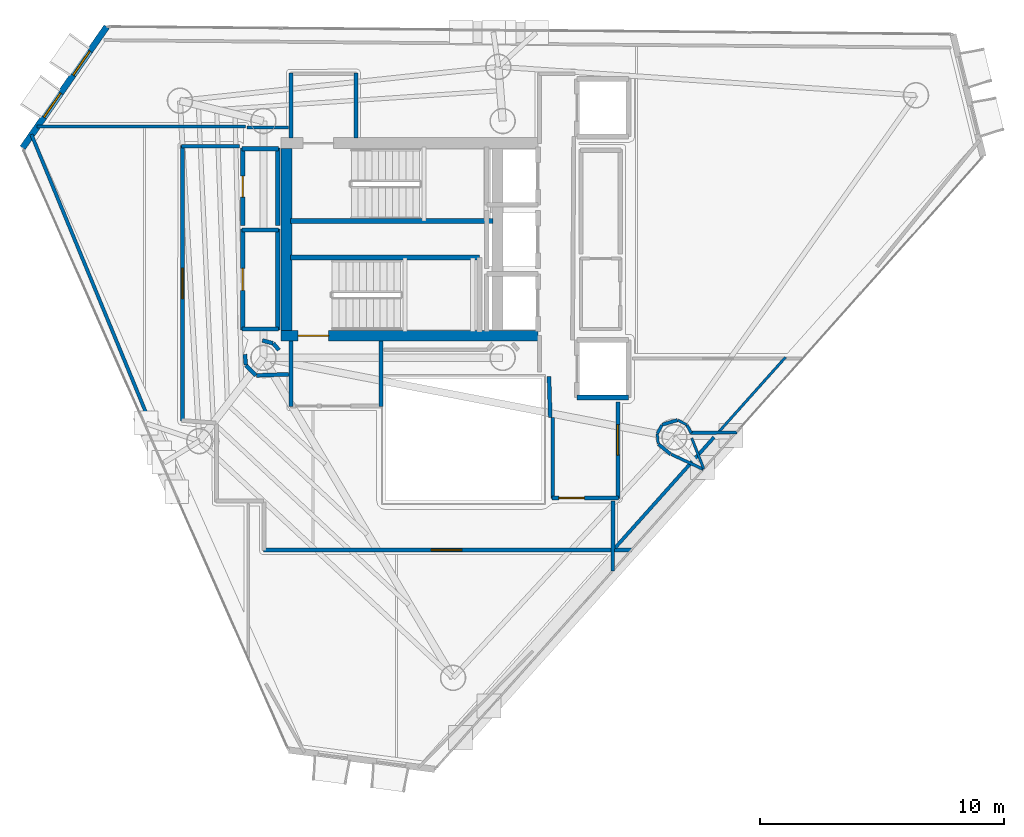
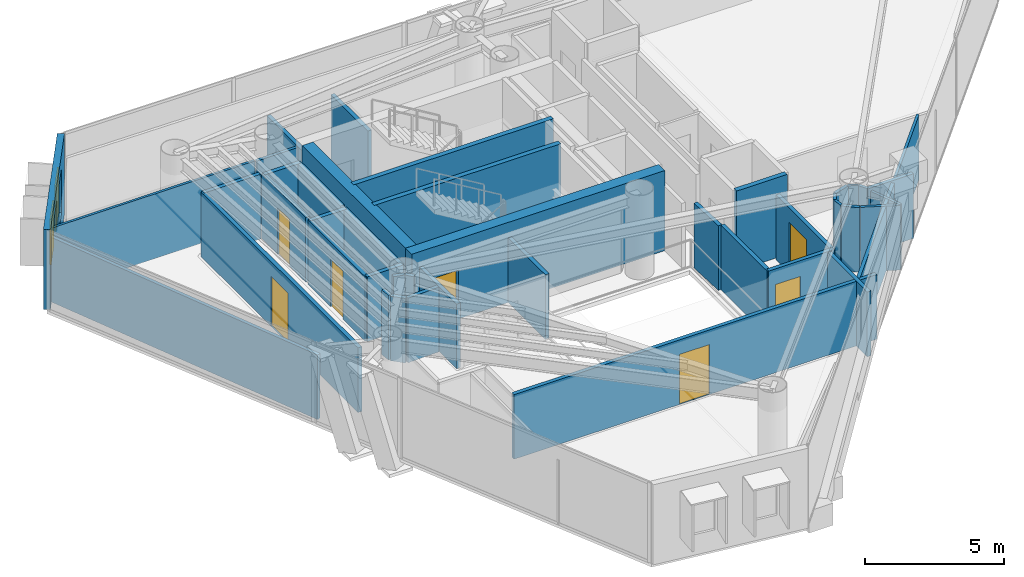
# One storey, part 16 of 21: 44 walls, 7 doors, 2 windows, 9 openings.
"""IFC4 building model written with IfcOpenShell, lengths in metres."""

from ifc_helpers import new_model, si_unit, direction, frame, frame_2d, origin, place, context, subcontext, project, spatial, rectangle, extrude, material, layer, layer_set, type_object, element, fill, save


model = new_model("IFC4")

# Units and contexts
model_context = context("Model", 3, precision=1e-05, world=origin(), true_north=direction((0.0, 1.0)))
body_context = subcontext(model_context, "Body", "Model", "MODEL_VIEW")
ifc_project = project(units=[si_unit("LENGTHUNIT", "METRE"), si_unit("AREAUNIT", "SQUARE_METRE"), si_unit("VOLUMEUNIT", "CUBIC_METRE"), si_unit("PLANEANGLEUNIT", "RADIAN"), si_unit("MASSUNIT", "GRAM", prefix="KILO")], contexts=[model_context])

# Site, building, storey
site_placement = place(None, origin())
site = spatial("IfcSite", under=ifc_project, at=site_placement, CompositionType="ELEMENT")
building_placement = place(site_placement, origin())
building = spatial("IfcBuilding", under=site, at=building_placement, Name="Qianvela Tower", CompositionType="ELEMENT")
storey_placement = place(building_placement, frame((0.0, 0.0, 250.10009765625)))
storey = spatial("IfcBuildingStorey", under=building, at=storey_placement, Name="L64", CompositionType="ELEMENT", Elevation=250.10009765625)

# Wall, openings, windows
ifc_material_1 = material(Name="Terracotta Cladding on Concrete C40", Category="masonry")
ifc_layer_1 = layer(ifc_material_1, 0.260009765625)
ifc_layer_set_1 = layer_set([ifc_layer_1], Name="Terracotta Cladding on Concrete C40")
wall_type_1 = type_object("IfcWallType", Name="TERRACOTTA-WALL-260", PredefinedType="SOLIDWALL", material=ifc_layer_set_1)
wall_1_placement = place(storey_placement, frame((22.181396484375, 37.41455078125, 0.0), z_axis=(0.0, 0.0, 1.0), x_axis=(-0.570304180322, -0.821433589469, 0.0)))
wall_1 = element("IfcWall", 1, at=wall_1_placement, inside=storey, type_object=wall_type_1, Name="L64 Terracotta Chamfer Facet Wall 3", PredefinedType="SOLIDWALL", context=body_context, shape_type="SweptSolid", body=[
    extrude(rectangle(XDim=6.0419921875, YDim=0.260009765625, at=frame_2d((3.02099609375, 0.0))), origin(), (0.0, 0.0, 1.0), 3.52001953125),
])
opening_1_placement = place(wall_1_placement, frame((1.212646484375, 0.0, 0.89990234375)))
opening_1 = element("IfcOpeningElement", 2, at=opening_1_placement, cuts=wall_1, Name="Opening W-03", PredefinedType="OPENING", context=body_context, shape_type="SweptSolid", body=[
    extrude(rectangle(XDim=1.199951171875, YDim=2.0, at=frame_2d((0.60009765625, 1.0))), frame((0.0, 0.139892578125, 0.0), z_axis=(0.0, -1.0, 0.0), x_axis=(1.0, 0.0, 0.0)), (0.0, 0.0, 1.0), 0.280029296875),
])
opening_2_placement = place(wall_1_placement, frame((3.3095703125, 0.0, 0.89990234375)))
opening_2 = element("IfcOpeningElement", 3, at=opening_2_placement, cuts=wall_1, Name="Opening W-03", PredefinedType="OPENING", context=body_context, shape_type="SweptSolid", body=[
    extrude(rectangle(XDim=1.199951171875, YDim=2.0, at=frame_2d((0.60009765625, 1.0))), frame((0.0, 0.139892578125, 0.0), z_axis=(0.0, -1.0, 0.0), x_axis=(1.0, 0.0, 0.0)), (0.0, 0.0, 1.0), 0.280029296875),
])
ifc_material_2 = material(Name="Thermally Broken Aluminium and Low-E Glass", Category="aluminium")
window_type = type_object("IfcWindowType", Name="WIN-TC-1200x2000", PartitioningType="SINGLE_PANEL", PredefinedType="WINDOW", material=ifc_material_2)
window_1_placement = place(opening_1_placement, origin())
window_1 = element("IfcWindow", 4, at=window_1_placement, inside=storey, type_object=window_type, Name="L64 Chamfer Facet Window 3.1", OverallHeight=2.0, OverallWidth=1.199951171875, PartitioningType="SINGLE_PANEL", PredefinedType="WINDOW", context=body_context, shape_type="SweptSolid", body=[
    extrude(rectangle(XDim=1.199951171875, YDim=2.0, at=frame_2d((0.60009765625, 1.0))), frame((0.0, 0.030029296875, 0.0), z_axis=(0.0, -1.0, 0.0), x_axis=(1.0, 0.0, 0.0)), (0.0, 0.0, 1.0), 0.06005859375),
])
fill(opening_1, window_1)
window_2_placement = place(opening_2_placement, origin())
window_2 = element("IfcWindow", 5, at=window_2_placement, inside=storey, type_object=window_type, Name="L64 Chamfer Facet Window 3.2", OverallHeight=2.0, OverallWidth=1.199951171875, PartitioningType="SINGLE_PANEL", PredefinedType="WINDOW", context=body_context, shape_type="SweptSolid", body=[
    extrude(rectangle(XDim=1.199951171875, YDim=2.0, at=frame_2d((0.60009765625, 1.0))), frame((0.0, 0.030029296875, 0.0), z_axis=(0.0, -1.0, 0.0), x_axis=(1.0, 0.0, 0.0)), (0.0, 0.0, 1.0), 0.06005859375),
])
fill(opening_2, window_2)

# Wall, opening, door
ifc_material_3 = material(Name="Concrete C50", Category="concrete")
ifc_layer_2 = layer(ifc_material_3, 0.449951171875)
ifc_layer_set_2 = layer_set([ifc_layer_2], Name="Concrete C50")
wall_type_2 = type_object("IfcWallType", Name="WT-CORE-450", PredefinedType="SHEAR", material=ifc_layer_set_2)
wall_2_placement = place(storey_placement, frame((29.330078125, 24.7548828125, 0.0), z_axis=(0.0, 0.0, 1.0), x_axis=(1.0, 0.0, 0.0)))
wall_2 = element("IfcWall", 6, at=wall_2_placement, inside=storey, type_object=wall_type_2, Name="L64 South Core Shear Wall", PredefinedType="SHEAR", context=body_context, shape_type="SweptSolid", body=[
    extrude(rectangle(XDim=10.52001953125, YDim=0.449951171875, at=frame_2d((5.260009765625, 0.0))), origin(), (0.0, 0.0, 1.0), 3.52001953125),
])
opening_3_placement = place(wall_2_placement, frame((0.695068359375, 0.0, 0.0)))
opening_3 = element("IfcOpeningElement", 7, at=opening_3_placement, cuts=wall_2, Name="Opening D-ST1", PredefinedType="OPENING", context=body_context, shape_type="SweptSolid", body=[
    extrude(rectangle(XDim=1.25, YDim=2.14990234375, at=frame_2d((0.625, 1.074951171875))), frame((0.0, 0.23486328125, 0.0), z_axis=(0.0, -1.0, 0.0), x_axis=(1.0, 0.0, 0.0)), (0.0, 0.0, 1.0), 0.469970703125),
])
ifc_material_4 = material(Name="Galvanised Fire Steel Q355B", Category="steel")
door_type_1 = type_object("IfcDoorType", Name="DT-STAIR-FD90", OperationType="NOTDEFINED", PredefinedType="DOOR", material=ifc_material_4)
door_1_placement = place(opening_3_placement, origin())
door_1 = element("IfcDoor", 8, at=door_1_placement, inside=storey, type_object=door_type_1, Name="L64 Stair ST-2 Exit Door", OperationType="SINGLE_SWING_RIGHT", OverallHeight=2.14990234375, OverallWidth=1.25, PredefinedType="DOOR", context=body_context, shape_type="SweptSolid", body=[
    extrude(rectangle(XDim=1.25, YDim=2.14990234375, at=frame_2d((0.625, 1.074951171875))), frame((0.0, 0.02490234375, 0.0), z_axis=(0.0, -1.0, 0.0), x_axis=(1.0, 0.0, 0.0)), (0.0, 0.0, 1.0), 0.050048828125),
])
fill(opening_3, door_1)

# Walls
wall_3_placement = place(storey_placement, frame((29.554931640625, 24.97998046875, 0.0), z_axis=(0.0, 0.0, 1.0), x_axis=(0.0, 1.0, 0.0)))
element("IfcWall", 9, at=wall_3_placement, inside=storey, type_object=wall_type_2, Name="L64 West Core Shear Wall", PredefinedType="SHEAR", context=body_context, shape_type="SweptSolid", body=[
    extrude(rectangle(XDim=7.43994140625, YDim=0.449951171875, at=frame_2d((3.719970703125, 0.0))), origin(), (0.0, 0.0, 1.0), 3.52001953125),
])
ifc_material_5 = material(Name="Fire-Rated Gypsum and Concrete Block", Category="concrete")
ifc_layer_3 = layer(ifc_material_5, 0.159912109375)
ifc_layer_set_3 = layer_set([ifc_layer_3], Name="Fire-Rated Gypsum and Concrete Block")
wall_type_3 = type_object("IfcWallType", Name="WT-CORR-160", PredefinedType="PARTITIONING", material=ifc_layer_set_3)
for number, where, z_axis, x_axis, name in (
    (10, (29.73095703125, 32.85791015625, 0.0), (0.0, 0.0, 1.0), (0.0, 1.0, 0.0), "L64 Partition 2"),
    (11, (32.388916015625, 35.52001953125, 0.0), (0.0, 0.0, 1.0), (0.0, -1.0, 0.0), "L64 Partition 4"),
):
    element("IfcWall", number, at=place(storey_placement, frame(where, z_axis=z_axis, x_axis=x_axis)), inside=storey, type_object=wall_type_3, Name=name, PredefinedType="PARTITIONING", context=body_context, shape_type="SweptSolid", body=[
        extrude(rectangle(XDim=2.662109375, YDim=0.159912109375, at=frame_2d((1.3310546875, 0.0))), origin(), (0.0, 0.0, 1.0), 2.83984375),
    ])
for number, where, z_axis, x_axis, name in (
    (12, (29.73095703125, 21.85009765625, 0.0), (0.0, 0.0, 1.0), (0.0, 1.0, 0.0), "L64 Partition 6"),
    (13, (33.4189453125, 24.5419921875, 0.0), (0.0, 0.0, 1.0), (0.0, -1.0, 0.0), "L64 Partition 8"),
):
    element("IfcWall", number, at=place(storey_placement, frame(where, z_axis=z_axis, x_axis=x_axis)), inside=storey, type_object=wall_type_3, Name=name, PredefinedType="PARTITIONING", context=body_context, shape_type="SweptSolid", body=[
        extrude(rectangle(XDim=2.69189453125, YDim=0.159912109375, at=frame_2d((1.345947265625, 0.0))), origin(), (0.0, 0.0, 1.0), 2.83984375),
    ])
wall_4_placement = place(storey_placement, frame((40.35107421875, 21.40087890625, 0.0), z_axis=(0.0, 0.0, 1.0), x_axis=(-0.031058045979, 0.999517582527, 0.0)))
element("IfcWall", 14, at=wall_4_placement, inside=storey, type_object=wall_type_3, Name="L64 Partition 9", PredefinedType="PARTITIONING", context=body_context, shape_type="SweptSolid", body=[
    extrude(rectangle(XDim=1.68212890625, YDim=0.159912109375, at=frame_2d((0.841064453125, 0.0))), origin(), (0.0, 0.0, 1.0), 2.83984375),
])

# Wall, opening, door
wall_5_placement = place(storey_placement, frame((43.118896484375, 22.050048828125, 0.0), z_axis=(0.0, 0.0, 1.0), x_axis=(0.0, -1.0, 0.0)))
wall_5 = element("IfcWall", 15, at=wall_5_placement, inside=storey, type_object=wall_type_3, Name="L64 Partition 16", PredefinedType="PARTITIONING", context=body_context, shape_type="SweptSolid", body=[
    extrude(rectangle(XDim=3.969970703125, YDim=0.159912109375, at=frame_2d((1.98486328125, 0.0))), origin(), (0.0, 0.0, 1.0), 2.83984375),
])
opening_4_placement = place(wall_5_placement, frame((0.93994140625, 0.0, 0.0)))
opening_4 = element("IfcOpeningElement", 16, at=opening_4_placement, cuts=wall_5, Name="Opening D-LG1", PredefinedType="OPENING", context=body_context, shape_type="SweptSolid", body=[
    extrude(rectangle(XDim=1.25, YDim=2.199951171875, at=frame_2d((0.625, 1.10009765625))), frame((0.0, 0.08984375, 0.0), z_axis=(0.0, -1.0, 0.0), x_axis=(1.0, 0.0, 0.0)), (0.0, 0.0, 1.0), 0.179931640625),
])
ifc_material_6 = material(Name="Anodised Aluminium Acoustic Glass Door", Category="aluminium")
door_type_2 = type_object("IfcDoorType", Name="DT-LOUNGE-1250", OperationType="NOTDEFINED", PredefinedType="DOOR", material=ifc_material_6)
door_2_placement = place(opening_4_placement, origin())
door_2 = element("IfcDoor", 17, at=door_2_placement, inside=storey, type_object=door_type_2, Name="L64 Door Debate Lecture Classroom L64-02 to L64 Lift Lobby", OperationType="SINGLE_SWING_LEFT", OverallHeight=2.199951171875, OverallWidth=1.25, PredefinedType="DOOR", context=body_context, shape_type="SweptSolid", body=[
    extrude(rectangle(XDim=1.25, YDim=2.199951171875, at=frame_2d((0.625, 1.10009765625))), frame((0.0, 0.02490234375, 0.0), z_axis=(0.0, -1.0, 0.0), x_axis=(1.0, 0.0, 0.0)), (0.0, 0.0, 1.0), 0.050048828125),
])
fill(opening_4, door_2)

wall_6_placement = place(storey_placement, frame((43.14990234375, 18.111083984375, 0.0), z_axis=(0.0, 0.0, 1.0), x_axis=(-1.0, 0.0, 0.0)))
wall_6 = element("IfcWall", 18, at=wall_6_placement, inside=storey, type_object=wall_type_3, Name="L64 Partition 17", PredefinedType="PARTITIONING", context=body_context, shape_type="SweptSolid", body=[
    extrude(rectangle(XDim=2.72998046875, YDim=0.159912109375, at=frame_2d((1.364990234375, 0.0))), origin(), (0.0, 0.0, 1.0), 2.83984375),
])
opening_5_placement = place(wall_6_placement, frame((1.39990234375, 0.0, 0.0)))
opening_5 = element("IfcOpeningElement", 19, at=opening_5_placement, cuts=wall_6, Name="Opening D-PL1", PredefinedType="OPENING", context=body_context, shape_type="SweptSolid", body=[
    extrude(rectangle(XDim=1.050048828125, YDim=2.14990234375, at=frame_2d((0.52490234375, 1.074951171875))), frame((0.0, 0.08984375, 0.0), z_axis=(0.0, -1.0, 0.0), x_axis=(1.0, 0.0, 0.0)), (0.0, 0.0, 1.0), 0.179931640625),
])
ifc_material_7 = material(Name="Insulated Steel Fire Door Q355B", Category="steel")
door_type_3 = type_object("IfcDoorType", Name="DT-PLANT-FD90", OperationType="NOTDEFINED", PredefinedType="DOOR", material=ifc_material_7)
door_3_placement = place(opening_5_placement, origin())
door_3 = element("IfcDoor", 20, at=door_3_placement, inside=storey, type_object=door_type_3, Name="L64 Door L64 Lift Lobby to L64 Floor Corridor", OperationType="SINGLE_SWING_RIGHT", OverallHeight=2.14990234375, OverallWidth=1.050048828125, PredefinedType="DOOR", context=body_context, shape_type="SweptSolid", body=[
    extrude(rectangle(XDim=1.050048828125, YDim=2.14990234375, at=frame_2d((0.52490234375, 1.074951171875))), frame((0.0, 0.02490234375, 0.0), z_axis=(0.0, -1.0, 0.0), x_axis=(1.0, 0.0, 0.0)), (0.0, 0.0, 1.0), 0.050048828125),
])
fill(opening_5, door_3)

# Walls
wall_7_placement = place(storey_placement, frame((40.450927734375, 18.080078125, 0.0), z_axis=(0.0, 0.0, 1.0), x_axis=(0.0, 1.0, 0.0)))
element("IfcWall", 21, at=wall_7_placement, inside=storey, type_object=wall_type_3, Name="L64 Partition 18 seg 1", PredefinedType="PARTITIONING", context=body_context, shape_type="SweptSolid", body=[
    extrude(rectangle(XDim=3.31982421875, YDim=0.159912109375, at=frame_2d((1.659912109375, 0.0))), origin(), (0.0, 0.0, 1.0), 2.83984375),
])
wall_8_placement = place(storey_placement, frame((29.236083984375, 24.170166015625, 0.0), z_axis=(0.0, 0.0, 1.0), x_axis=(-0.652260263346, 0.757995084984, 0.0)))
element("IfcWall", 22, at=wall_8_placement, inside=storey, type_object=wall_type_3, Name="L64 Partition 39", PredefinedType="PARTITIONING", context=body_context, shape_type="SweptSolid", body=[
    extrude(rectangle(XDim=0.35546875, YDim=0.159912109375, at=frame_2d((0.177734375, 0.0))), origin(), (0.0, 0.0, 1.0), 2.83984375),
])
wall_9_placement = place(storey_placement, frame((28.98828125, 24.44970703125, 0.0), z_axis=(0.0, 0.0, 1.0), x_axis=(-0.968704505916, 0.248216800836, 0.0)))
element("IfcWall", 23, at=wall_9_placement, inside=storey, type_object=wall_type_3, Name="L64 Partition 40", PredefinedType="PARTITIONING", context=body_context, shape_type="SweptSolid", body=[
    extrude(rectangle(XDim=0.444580078125, YDim=0.159912109375, at=frame_2d((0.22216796875, 0.0))), origin(), (0.0, 0.0, 1.0), 2.83984375),
])
wall_10_placement = place(storey_placement, frame((27.83837890625, 23.9921875, 0.0), z_axis=(0.0, 0.0, 1.0), x_axis=(0.098273407977, -0.995159453196, 0.0)))
element("IfcWall", 24, at=wall_10_placement, inside=storey, type_object=wall_type_3, Name="L64 Partition 54", PredefinedType="PARTITIONING", context=body_context, shape_type="SweptSolid", body=[
    extrude(rectangle(XDim=0.432373046875, YDim=0.159912109375, at=frame_2d((0.21630859375, 0.0))), origin(), (0.0, 0.0, 1.0), 2.83984375),
])
wall_11_placement = place(storey_placement, frame((27.889892578125, 23.54296875, 0.0), z_axis=(0.0, 0.0, 1.0), x_axis=(0.707106781187, -0.707106781187, 0.0)))
element("IfcWall", 25, at=wall_11_placement, inside=storey, type_object=wall_type_3, Name="L64 Partition 55", PredefinedType="PARTITIONING", context=body_context, shape_type="SweptSolid", body=[
    extrude(rectangle(XDim=0.570068359375, YDim=0.159912109375, at=frame_2d((0.28515625, 0.0))), origin(), (0.0, 0.0, 1.0), 2.83984375),
])
wall_12_placement = place(storey_placement, frame((28.31591796875, 23.130615234375, 0.0), z_axis=(0.0, 0.0, 1.0), x_axis=(0.999405342193, 0.034481328227, 0.0)))
element("IfcWall", 26, at=wall_12_placement, inside=storey, type_object=wall_type_3, Name="L64 Partition 56", PredefinedType="PARTITIONING", context=body_context, shape_type="SweptSolid", body=[
    extrude(rectangle(XDim=1.323974609375, YDim=0.159912109375, at=frame_2d((0.662109375, 0.0))), origin(), (0.0, 0.0, 1.0), 2.83984375),
])
wall_13_placement = place(storey_placement, frame((42.9189453125, 17.97998046875, 0.0), z_axis=(0.0, 0.0, 1.0), x_axis=(-0.003320260942, -0.999994487918, 0.0)))
element("IfcWall", 27, at=wall_13_placement, inside=storey, type_object=wall_type_3, Name="L64 Partition 60", PredefinedType="PARTITIONING", context=body_context, shape_type="SweptSolid", body=[
    extrude(rectangle(XDim=2.86767578125, YDim=0.159912109375, at=frame_2d((1.433837890625, 0.0))), origin(), (0.0, 0.0, 1.0), 2.83984375),
])

# Wall, opening, door
wall_14_placement = place(storey_placement, frame((43.688720703125, 15.98095703125, 0.0), z_axis=(0.0, 0.0, 1.0), x_axis=(-1.0, 0.0, 0.0)))
wall_14 = element("IfcWall", 28, at=wall_14_placement, inside=storey, type_object=wall_type_3, Name="L64 Partition 61", PredefinedType="PARTITIONING", context=body_context, shape_type="SweptSolid", body=[
    extrude(rectangle(XDim=15.088623046875, YDim=0.159912109375, at=frame_2d((7.54443359375, 0.0))), origin(), (0.0, 0.0, 1.0), 2.83984375),
])
opening_6_placement = place(wall_14_placement, frame((6.957275390625, 0.0, 0.0)))
opening_6 = element("IfcOpeningElement", 29, at=opening_6_placement, cuts=wall_14, Name="Opening D-LG1", PredefinedType="OPENING", context=body_context, shape_type="SweptSolid", body=[
    extrude(rectangle(XDim=1.25, YDim=2.199951171875, at=frame_2d((0.625, 1.10009765625))), frame((0.0, 0.08984375, 0.0), z_axis=(0.0, -1.0, 0.0), x_axis=(1.0, 0.0, 0.0)), (0.0, 0.0, 1.0), 0.179931640625),
])
door_4_placement = place(opening_6_placement, origin())
door_4 = element("IfcDoor", 30, at=door_4_placement, inside=storey, type_object=door_type_2, Name="L64 Door Project Huddle Conference L64-01 to L64 Floor Corridor", OperationType="SINGLE_SWING_RIGHT", OverallHeight=2.199951171875, OverallWidth=1.25, PredefinedType="DOOR", context=body_context, shape_type="SweptSolid", body=[
    extrude(rectangle(XDim=1.25, YDim=2.199951171875, at=frame_2d((0.625, 1.10009765625))), frame((0.0, 0.02490234375, 0.0), z_axis=(0.0, -1.0, 0.0), x_axis=(1.0, 0.0, 0.0)), (0.0, 0.0, 1.0), 0.050048828125),
])
fill(opening_6, door_4)

wall_15_placement = place(storey_placement, frame((25.281005859375, 21.253173828125, 0.0), z_axis=(0.0, 0.0, 1.0), x_axis=(0.0, 1.0, 0.0)))
wall_15 = element("IfcWall", 31, at=wall_15_placement, inside=storey, type_object=wall_type_3, Name="L64 Partition 66", PredefinedType="PARTITIONING", context=body_context, shape_type="SweptSolid", body=[
    extrude(rectangle(XDim=11.296875, YDim=0.159912109375, at=frame_2d((5.6484375, 0.0))), origin(), (0.0, 0.0, 1.0), 2.83984375),
])
opening_7_placement = place(wall_15_placement, frame((5.0234375, 0.0, 0.0)))
opening_7 = element("IfcOpeningElement", 32, at=opening_7_placement, cuts=wall_15, Name="Opening D-LG1", PredefinedType="OPENING", context=body_context, shape_type="SweptSolid", body=[
    extrude(rectangle(XDim=1.25, YDim=2.199951171875, at=frame_2d((0.625, 1.10009765625))), frame((0.0, 0.08984375, 0.0), z_axis=(0.0, -1.0, 0.0), x_axis=(1.0, 0.0, 0.0)), (0.0, 0.0, 1.0), 0.179931640625),
])
door_5_placement = place(opening_7_placement, origin())
door_5 = element("IfcDoor", 33, at=door_5_placement, inside=storey, type_object=door_type_2, Name="L64 Door Student Fitness Gym L64-03 to L64 Floor Corridor", OperationType="SINGLE_SWING_RIGHT", OverallHeight=2.199951171875, OverallWidth=1.25, PredefinedType="DOOR", context=body_context, shape_type="SweptSolid", body=[
    extrude(rectangle(XDim=1.25, YDim=2.199951171875, at=frame_2d((0.625, 1.10009765625))), frame((0.0, 0.02490234375, 0.0), z_axis=(0.0, -1.0, 0.0), x_axis=(1.0, 0.0, 0.0)), (0.0, 0.0, 1.0), 0.050048828125),
])
fill(opening_7, door_5)

# Walls
wall_16_placement = place(storey_placement, frame((25.25, 32.51904296875, 0.0), z_axis=(0.0, 0.0, 1.0), x_axis=(1.0, 0.0, 0.0)))
element("IfcWall", 34, at=wall_16_placement, inside=storey, type_object=wall_type_3, Name="L64 Partition 67", PredefinedType="PARTITIONING", context=body_context, shape_type="SweptSolid", body=[
    extrude(rectangle(XDim=2.3701171875, YDim=0.159912109375, at=frame_2d((1.18505859375, 0.0))), origin(), (0.0, 0.0, 1.0), 2.83984375),
])
ifc_material_8 = material(Name="Lightweight Gypsum Room Partition")
ifc_layer_4 = layer(ifc_material_8, 0.10498046875)
ifc_layer_set_4 = layer_set([ifc_layer_4], Name="Lightweight Gypsum Room Partition")
wall_type_4 = type_object("IfcWallType", Name="WT-PART-105", PredefinedType="PARTITIONING", material=ifc_layer_set_4)
wall_17_placement = place(storey_placement, frame((49.992431640625, 23.878662109375, 0.0), z_axis=(0.0, 0.0, 1.0), x_axis=(-0.666631757863, -0.745387214412, 0.0)))
element("IfcWall", 35, at=wall_17_placement, inside=storey, type_object=wall_type_4, Name="L64 Partition 78", PredefinedType="PARTITIONING", context=body_context, shape_type="SweptSolid", body=[
    extrude(rectangle(XDim=4.156982421875, YDim=0.10498046875, at=frame_2d((2.07861328125, 0.0))), origin(), (0.0, 0.0, 1.0), 2.83984375),
])
for number, where, z_axis, x_axis, name in (
    (36, (45.93505859375, 21.109619140625, 0.0), (0.0, 0.0, 1.0), (-0.881944865518, 0.471352579484, 0.0), "L64 Partition 81"),
    (37, (44.7333984375, 20.728515625, 0.0), (0.0, 0.0, 1.0), (0.097619118958, -0.995223847993, 0.0), "L64 Partition 84"),
):
    element("IfcWall", number, at=place(storey_placement, frame(where, z_axis=z_axis, x_axis=x_axis)), inside=storey, type_object=wall_type_4, Name=name, PredefinedType="PARTITIONING", context=body_context, shape_type="SweptSolid", body=[
        extrude(rectangle(XDim=0.397705078125, YDim=0.10498046875, at=frame_2d((0.19873046875, 0.0))), origin(), (0.0, 0.0, 1.0), 2.83984375),
    ])
wall_18_placement = place(storey_placement, frame((46.638916015625, 19.30224609375, 0.0), z_axis=(0.0, 0.0, 1.0), x_axis=(-0.364501452611, 0.9312028195, 0.0)))
element("IfcWall", 38, at=wall_18_placement, inside=storey, type_object=wall_type_4, Name="L64 Partition 87", PredefinedType="PARTITIONING", context=body_context, shape_type="SweptSolid", body=[
    extrude(rectangle(XDim=1.352294921875, YDim=0.10498046875, at=frame_2d((0.67626953125, 0.0))), origin(), (0.0, 0.0, 1.0), 2.83984375),
])
wall_19_placement = place(storey_placement, frame((19.323486328125, 33.326904296875, 0.0), z_axis=(0.0, 0.0, 1.0), x_axis=(1.0, 0.0, 0.0)))
element("IfcWall", 39, at=wall_19_placement, inside=storey, type_object=wall_type_4, Name="L64 Partition 90", PredefinedType="PARTITIONING", context=body_context, shape_type="SweptSolid", body=[
    extrude(rectangle(XDim=8.534423828125, YDim=0.10498046875, at=frame_2d((4.26708984375, 0.0))), origin(), (0.0, 0.0, 1.0), 2.83984375),
])
ifc_material_9 = material(Name="Insulated Gypsum Stud Partition")
ifc_layer_5 = layer(ifc_material_9, 0.1201171875)
ifc_layer_set_5 = layer_set([ifc_layer_5], Name="Insulated Gypsum Stud Partition")
wall_type_5 = type_object("IfcWallType", Name="WT-PART-120", PredefinedType="PARTITIONING", material=ifc_layer_set_5)
wall_20_placement = place(storey_placement, frame((46.12744140625, 20.771484375, 0.0), z_axis=(0.0, 0.0, 1.0), x_axis=(-0.483302691899, 0.875453315719, 0.0)))
element("IfcWall", 40, at=wall_20_placement, inside=storey, type_object=wall_type_5, Name="L64 Partition 80", PredefinedType="PARTITIONING", context=body_context, shape_type="SweptSolid", body=[
    extrude(rectangle(XDim=0.372314453125, YDim=0.1201171875, at=frame_2d((0.18603515625, 0.0))), origin(), (0.0, 0.0, 1.0), 2.83984375),
])
wall_21_placement = place(storey_placement, frame((44.92431640625, 21.096923828125, 0.0), z_axis=(0.0, 0.0, 1.0), x_axis=(-0.471607834051, -0.881808398044, 0.0)))
element("IfcWall", 41, at=wall_21_placement, inside=storey, type_object=wall_type_5, Name="L64 Partition 83", PredefinedType="PARTITIONING", context=body_context, shape_type="SweptSolid", body=[
    extrude(rectangle(XDim=0.3974609375, YDim=0.1201171875, at=frame_2d((0.19873046875, 0.0))), origin(), (0.0, 0.0, 1.0), 2.83984375),
])
wall_22_placement = place(storey_placement, frame((45.308349609375, 19.895751953125, 0.0), z_axis=(0.0, 0.0, 1.0), x_axis=(0.906290700872, -0.422654901206, 0.0)))
element("IfcWall", 42, at=wall_22_placement, inside=storey, type_object=wall_type_5, Name="L64 Partition 86", PredefinedType="PARTITIONING", context=body_context, shape_type="SweptSolid", body=[
    extrude(rectangle(XDim=1.44921875, YDim=0.1201171875, at=frame_2d((0.724609375, 0.0))), origin(), (0.0, 0.0, 1.0), 2.83984375),
])
wall_23_placement = place(storey_placement, frame((29.6201171875, 33.29296875, 0.0), z_axis=(0.0, 0.0, 1.0), x_axis=(-1.0, 0.0, 0.0)))
element("IfcWall", 43, at=wall_23_placement, inside=storey, type_object=wall_type_5, Name="L64 Partition 107 seg 1", PredefinedType="PARTITIONING", context=body_context, shape_type="SweptSolid", body=[
    extrude(rectangle(XDim=1.7001953125, YDim=0.1201171875, at=frame_2d((0.85009765625, 0.0))), origin(), (0.0, 0.0, 1.0), 2.83984375),
])

# Wall, opening, door
ifc_material_10 = material(Name="Moisture-Resistant Acoustic Plumbing Wall")
ifc_layer_6 = layer(ifc_material_10, 0.175048828125)
ifc_layer_set_6 = layer_set([ifc_layer_6], Name="Moisture-Resistant Acoustic Plumbing Wall")
wall_type_6 = type_object("IfcWallType", Name="WT-PLUMB-175", PredefinedType="PLUMBINGWALL", material=ifc_layer_set_6)
wall_24_placement = place(storey_placement, frame((27.7509765625, 25.0, 0.0), z_axis=(0.0, 0.0, 1.0), x_axis=(0.0, 1.0, 0.0)))
wall_24 = element("IfcWall", 44, at=wall_24_placement, inside=storey, type_object=wall_type_6, Name="L64 Partition 27", PredefinedType="PLUMBINGWALL", context=body_context, shape_type="SweptSolid", body=[
    extrude(rectangle(XDim=4.1201171875, YDim=0.175048828125, at=frame_2d((2.06005859375, 0.0))), origin(), (0.0, 0.0, 1.0), 2.83984375),
])
opening_8_placement = place(wall_24_placement, frame((1.610107421875, 0.0, 0.0)))
opening_8 = element("IfcOpeningElement", 45, at=opening_8_placement, cuts=wall_24, Name="Opening D-KT1", PredefinedType="OPENING", context=body_context, shape_type="SweptSolid", body=[
    extrude(rectangle(XDim=0.89990234375, YDim=2.10009765625, at=frame_2d((0.449951171875, 1.050048828125))), frame((0.0, 0.097412109375, 0.0), z_axis=(0.0, -1.0, 0.0), x_axis=(1.0, 0.0, 0.0)), (0.0, 0.0, 1.0), 0.195068359375),
])
ifc_material_11 = material(Name="Glazed Timber Kitchen Door", Category="wood")
door_type_4 = type_object("IfcDoorType", Name="DT-KITCH-900", OperationType="NOTDEFINED", PredefinedType="DOOR", material=ifc_material_11)
door_6_placement = place(opening_8_placement, origin())
door_6 = element("IfcDoor", 46, at=door_6_placement, inside=storey, type_object=door_type_4, Name="L64 Door L64 Core Tea Pantry West to L64 Floor Corridor", OperationType="SINGLE_SWING_LEFT", OverallHeight=2.10009765625, OverallWidth=0.89990234375, PredefinedType="DOOR", context=body_context, shape_type="SweptSolid", body=[
    extrude(rectangle(XDim=0.89990234375, YDim=2.10009765625, at=frame_2d((0.449951171875, 1.050048828125))), frame((0.0, 0.02490234375, 0.0), z_axis=(0.0, -1.0, 0.0), x_axis=(1.0, 0.0, 0.0)), (0.0, 0.0, 1.0), 0.050048828125),
])
fill(opening_8, door_6)

# Walls
wall_25_placement = place(storey_placement, frame((27.719970703125, 29.089111328125, 0.0), z_axis=(0.0, 0.0, 1.0), x_axis=(1.0, 0.0, 0.0)))
element("IfcWall", 47, at=wall_25_placement, inside=storey, type_object=wall_type_6, Name="L64 Partition 28", PredefinedType="PLUMBINGWALL", context=body_context, shape_type="SweptSolid", body=[
    extrude(rectangle(XDim=1.5, YDim=0.175048828125, at=frame_2d((0.75, 0.0))), origin(), (0.0, 0.0, 1.0), 2.83984375),
])
wall_26_placement = place(storey_placement, frame((29.18896484375, 29.1201171875, 0.0), z_axis=(0.0, 0.0, 1.0), x_axis=(0.0, -1.0, 0.0)))
element("IfcWall", 48, at=wall_26_placement, inside=storey, type_object=wall_type_6, Name="L64 Partition 29", PredefinedType="PLUMBINGWALL", context=body_context, shape_type="SweptSolid", body=[
    extrude(rectangle(XDim=4.1201171875, YDim=0.175048828125, at=frame_2d((2.06005859375, 0.0))), origin(), (0.0, 0.0, 1.0), 2.83984375),
])
wall_27_placement = place(storey_placement, frame((29.219970703125, 25.031005859375, 0.0), z_axis=(0.0, 0.0, 1.0), x_axis=(-1.0, 0.0, 0.0)))
element("IfcWall", 49, at=wall_27_placement, inside=storey, type_object=wall_type_6, Name="L64 Partition 30", PredefinedType="PLUMBINGWALL", context=body_context, shape_type="SweptSolid", body=[
    extrude(rectangle(XDim=1.5, YDim=0.175048828125, at=frame_2d((0.75, 0.0))), origin(), (0.0, 0.0, 1.0), 2.83984375),
])

# Wall, opening, door
wall_28_placement = place(storey_placement, frame((27.7509765625, 29.280029296875, 0.0), z_axis=(0.0, 0.0, 1.0), x_axis=(0.0, 1.0, 0.0)))
wall_28 = element("IfcWall", 50, at=wall_28_placement, inside=storey, type_object=wall_type_6, Name="L64 Partition 31", PredefinedType="PLUMBINGWALL", context=body_context, shape_type="SweptSolid", body=[
    extrude(rectangle(XDim=3.169921875, YDim=0.175048828125, at=frame_2d((1.5849609375, 0.0))), origin(), (0.0, 0.0, 1.0), 2.83984375),
])
opening_9_placement = place(wall_28_placement, frame((1.155029296875, 0.0, 0.0)))
opening_9 = element("IfcOpeningElement", 51, at=opening_9_placement, cuts=wall_28, Name="Opening D-WC1", PredefinedType="OPENING", context=body_context, shape_type="SweptSolid", body=[
    extrude(rectangle(XDim=0.860107421875, YDim=2.050048828125, at=frame_2d((0.43017578125, 1.02490234375))), frame((0.0, 0.097412109375, 0.0), z_axis=(0.0, -1.0, 0.0), x_axis=(1.0, 0.0, 0.0)), (0.0, 0.0, 1.0), 0.195068359375),
])
ifc_material_12 = material(Name="Moisture-Sealed Acoustic Timber Door", Category="wood")
door_type_5 = type_object("IfcDoorType", Name="DT-WC-860", OperationType="NOTDEFINED", PredefinedType="DOOR", material=ifc_material_12)
door_7_placement = place(opening_9_placement, origin())
door_7 = element("IfcDoor", 52, at=door_7_placement, inside=storey, type_object=door_type_5, Name="L64 Door L64 Accessible WC to L64 Floor Corridor", OperationType="SINGLE_SWING_RIGHT", OverallHeight=2.050048828125, OverallWidth=0.860107421875, PredefinedType="DOOR", context=body_context, shape_type="SweptSolid", body=[
    extrude(rectangle(XDim=0.860107421875, YDim=2.050048828125, at=frame_2d((0.43017578125, 1.02490234375))), frame((0.0, 0.02490234375, 0.0), z_axis=(0.0, -1.0, 0.0), x_axis=(1.0, 0.0, 0.0)), (0.0, 0.0, 1.0), 0.050048828125),
])
fill(opening_9, door_7)

# Walls
wall_29_placement = place(storey_placement, frame((27.719970703125, 32.4189453125, 0.0), z_axis=(0.0, 0.0, 1.0), x_axis=(1.0, 0.0, 0.0)))
element("IfcWall", 53, at=wall_29_placement, inside=storey, type_object=wall_type_6, Name="L64 Partition 32", PredefinedType="PLUMBINGWALL", context=body_context, shape_type="SweptSolid", body=[
    extrude(rectangle(XDim=1.5, YDim=0.175048828125, at=frame_2d((0.75, 0.0))), origin(), (0.0, 0.0, 1.0), 2.83984375),
])
wall_30_placement = place(storey_placement, frame((29.18896484375, 32.449951171875, 0.0), z_axis=(0.0, 0.0, 1.0), x_axis=(0.0, -1.0, 0.0)))
element("IfcWall", 54, at=wall_30_placement, inside=storey, type_object=wall_type_6, Name="L64 Partition 33", PredefinedType="PLUMBINGWALL", context=body_context, shape_type="SweptSolid", body=[
    extrude(rectangle(XDim=3.169921875, YDim=0.175048828125, at=frame_2d((1.5849609375, 0.0))), origin(), (0.0, 0.0, 1.0), 2.83984375),
])
ifc_material_13 = material(Name="Acoustic Double Gypsum Stud Partition")
ifc_layer_7 = layer(ifc_material_13, 0.139892578125)
ifc_layer_set_7 = layer_set([ifc_layer_7], Name="Acoustic Double Gypsum Stud Partition")
wall_type_7 = type_object("IfcWallType", Name="WT-ROOM-140", PredefinedType="PARTITIONING", material=ifc_layer_set_7)
wall_31_placement = place(storey_placement, frame((47.9912109375, 20.7919921875, 0.0), z_axis=(0.0, 0.0, 1.0), x_axis=(-0.999997300034, -0.002323773741, 0.0)))
element("IfcWall", 55, at=wall_31_placement, inside=storey, type_object=wall_type_7, Name="L64 Partition 79", PredefinedType="PARTITIONING", context=body_context, shape_type="SweptSolid", body=[
    extrude(rectangle(XDim=1.89111328125, YDim=0.139892578125, at=frame_2d((0.945556640625, 0.0))), origin(), (0.0, 0.0, 1.0), 2.83984375),
])
wall_32_placement = place(storey_placement, frame((45.560546875, 21.299560546875, 0.0), z_axis=(0.0, 0.0, 1.0), x_axis=(-0.956916224704, -0.290364148784, 0.0)))
element("IfcWall", 56, at=wall_32_placement, inside=storey, type_object=wall_type_7, Name="L64 Partition 82", PredefinedType="PARTITIONING", context=body_context, shape_type="SweptSolid", body=[
    extrude(rectangle(XDim=0.645751953125, YDim=0.139892578125, at=frame_2d((0.32275390625, 0.0))), origin(), (0.0, 0.0, 1.0), 2.83984375),
])
wall_33_placement = place(storey_placement, frame((44.783447265625, 20.31201171875, 0.0), z_axis=(0.0, 0.0, 1.0), x_axis=(0.772878500367, -0.634554035265, 0.0)))
element("IfcWall", 57, at=wall_33_placement, inside=storey, type_object=wall_type_7, Name="L64 Partition 85", PredefinedType="PARTITIONING", context=body_context, shape_type="SweptSolid", body=[
    extrude(rectangle(XDim=0.64599609375, YDim=0.139892578125, at=frame_2d((0.322998046875, 0.0))), origin(), (0.0, 0.0, 1.0), 2.83984375),
])
wall_34_placement = place(storey_placement, frame((47.059814453125, 20.599609375, 0.0), z_axis=(0.0, 0.0, 1.0), x_axis=(-0.666617878576, -0.745399627021, 0.0)))
element("IfcWall", 58, at=wall_34_placement, inside=storey, type_object=wall_type_7, Name="L64 Partition 88", PredefinedType="PARTITIONING", context=body_context, shape_type="SweptSolid", body=[
    extrude(rectangle(XDim=6.08935546875, YDim=0.139892578125, at=frame_2d((3.044677734375, 0.0))), origin(), (0.0, 0.0, 1.0), 2.83984375),
])
wall_35_placement = place(storey_placement, frame((23.785888671875, 21.61572265625, 0.0), z_axis=(0.0, 0.0, 1.0), x_axis=(-0.380926319364, 0.924605396489, 0.0)))
element("IfcWall", 59, at=wall_35_placement, inside=storey, type_object=wall_type_7, Name="L64 Partition 97 seg 1", PredefinedType="PARTITIONING", context=body_context, shape_type="SweptSolid", body=[
    extrude(rectangle(XDim=12.3125, YDim=0.139892578125, at=frame_2d((6.15625, 0.0))), origin(), (0.0, 0.0, 1.0), 2.83984375),
])
ifc_material_14 = material(Name="Concrete C50", Category="concrete")
ifc_layer_8 = layer(ifc_material_14, 0.199951171875)
ifc_layer_set_8 = layer_set([ifc_layer_8], Name="Concrete C50")
wall_type_8 = type_object("IfcWallType", Name="WT-SHAFT-200", PredefinedType="SOLIDWALL", material=ifc_layer_set_8)
wall_36_placement = place(storey_placement, frame((29.699951171875, 29.449951171875, 0.0), z_axis=(0.0, 0.0, 1.0), x_axis=(1.0, 0.0, 0.0)))
element("IfcWall", 60, at=wall_36_placement, inside=storey, type_object=wall_type_8, Name="L64 Stair ST-1 South Wall", PredefinedType="SOLIDWALL", context=body_context, shape_type="SweptSolid", body=[
    extrude(rectangle(XDim=8.300048828125, YDim=0.199951171875, at=frame_2d((4.14990234375, 0.0))), origin(), (0.0, 0.0, 1.0), 3.52001953125),
])
wall_37_placement = place(storey_placement, frame((29.699951171875, 27.9599609375, 0.0), z_axis=(0.0, 0.0, 1.0), x_axis=(1.0, 0.0, 0.0)))
element("IfcWall", 61, at=wall_37_placement, inside=storey, type_object=wall_type_8, Name="L64 Stair ST-2 North Wall", PredefinedType="SOLIDWALL", context=body_context, shape_type="SweptSolid", body=[
    extrude(rectangle(XDim=7.75, YDim=0.199951171875, at=frame_2d((3.875, 0.0))), origin(), (0.0, 0.0, 1.0), 3.52001953125),
])
wall_38_placement = place(storey_placement, frame((41.449951171875, 22.219970703125, 0.0), z_axis=(0.0, 0.0, 1.0), x_axis=(1.0, 0.0, 0.0)))
element("IfcWall", 62, at=wall_38_placement, inside=storey, type_object=wall_type_8, Name="L64 Lift PL-H2 S Shaft Wall", PredefinedType="SOLIDWALL", context=body_context, shape_type="SweptSolid", body=[
    extrude(rectangle(XDim=2.10009765625, YDim=0.199951171875, at=frame_2d((1.050048828125, 0.0))), origin(), (0.0, 0.0, 1.0), 3.52001953125),
])

save(model, "model.ifc")
